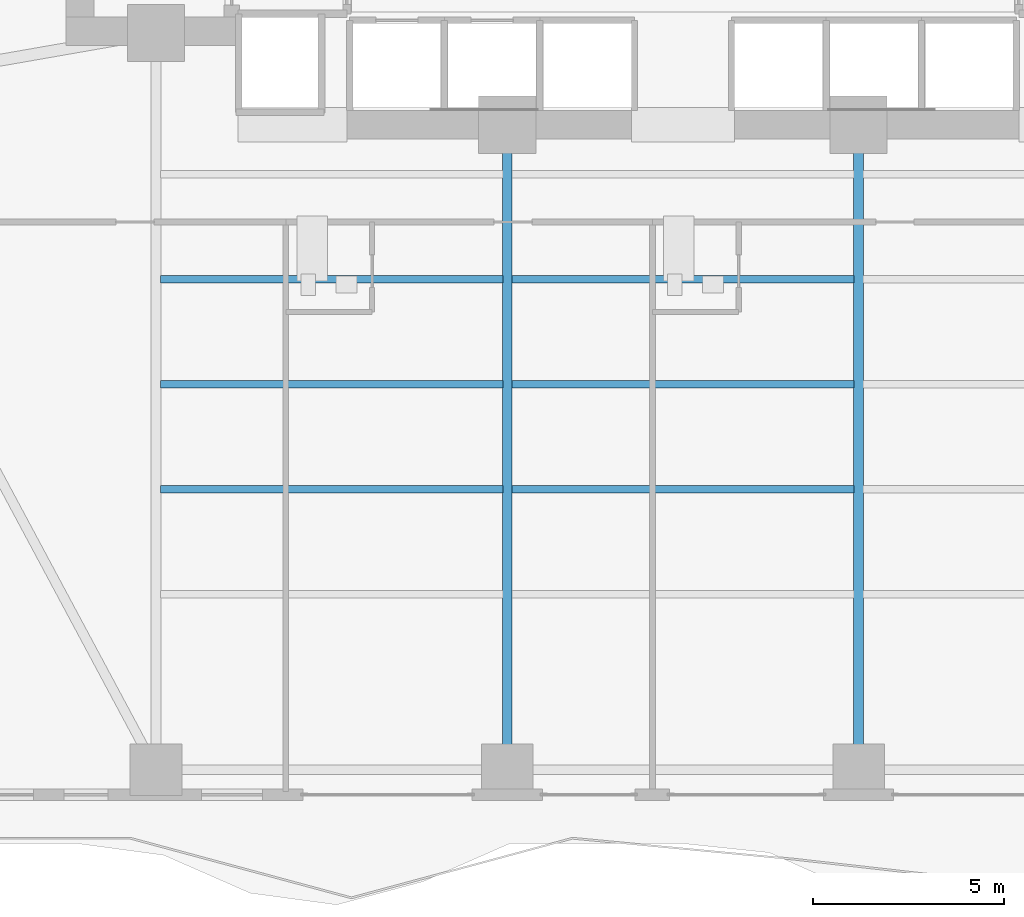
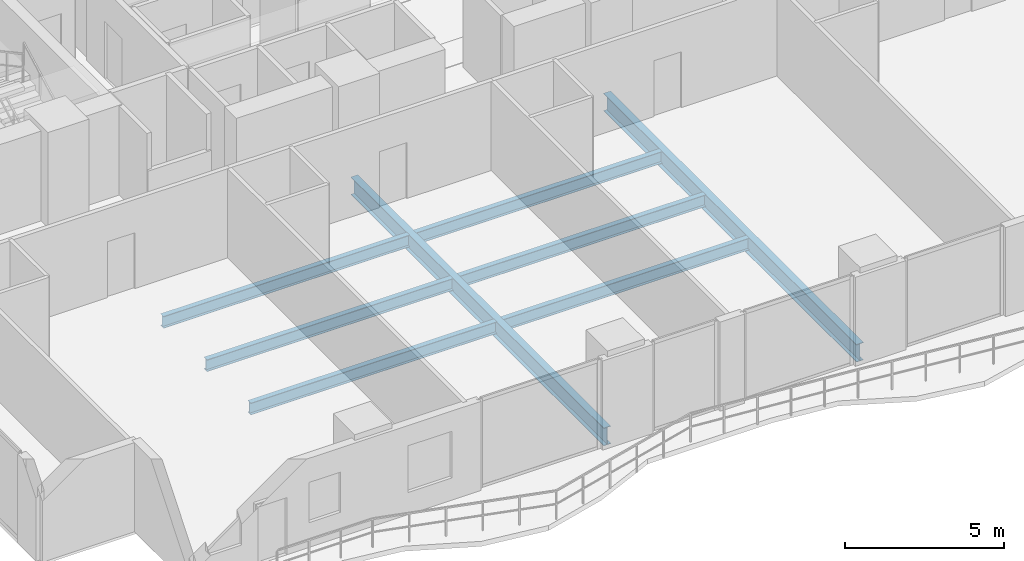
# One storey, part 6 of 28: 8 beams.
"""IFC4 building model written with IfcOpenShell, lengths in metres."""

from ifc_helpers import new_model, si_unit, direction, frame, origin, origin_2d, place, context, subcontext, project, spatial, i_section, extrude, material, material_profile, profile_set, type_object, element, save


model = new_model("IFC4")

# Units and contexts
model_context = context("Model", 3, precision=1e-05, world=origin(), true_north=direction((0.0, 1.0)))
body_context = subcontext(model_context, "Body", "Model", "MODEL_VIEW")
ifc_project = project(units=[si_unit("LENGTHUNIT", "METRE"), si_unit("AREAUNIT", "SQUARE_METRE"), si_unit("VOLUMEUNIT", "CUBIC_METRE"), si_unit("PLANEANGLEUNIT", "RADIAN"), si_unit("MASSUNIT", "GRAM", prefix="KILO")], contexts=[model_context])

# Site, building, storey
site_placement = place(None, origin())
site = spatial("IfcSite", under=ifc_project, at=site_placement, CompositionType="ELEMENT")
building_placement = place(site_placement, origin())
building = spatial("IfcBuilding", under=site, at=building_placement, Name="Zuhayl Quay Hotel", CompositionType="ELEMENT")
storey_placement = place(building_placement, frame((0.0, 0.0, 146.75)))
storey = spatial("IfcBuildingStorey", under=building, at=storey_placement, Name="L37", CompositionType="ELEMENT", Elevation=146.75)

# Beams
ifc_material = material(Name="Steel ASTM A992 Grade 50", Category="steel")
ifc_material_profile_1 = material_profile(ifc_material, i_section(OverallWidth=0.25390625, OverallDepth=0.68310546875, WebThickness=0.012451171875, FlangeThickness=0.018798828125, at=origin_2d()), Name="W27X94")
ifc_profile_set_1 = profile_set([ifc_material_profile_1], Name="Steel ASTM A992 Grade 50")
beam_type_1 = type_object("IfcBeamType", Name="BM_B2_W27X94", PredefinedType="BEAM", material=ifc_profile_set_1)
for number, where, z_axis, x_axis, name in (
    (1, (-4.60009765625, -14.25, -0.5615234375), (0.0, 1.0, 0.0), (-1.0, 0.0, 0.0), "L37 Floor Beam FG_S_L37_2"),
    (2, (4.60009765625, -14.25, -0.5615234375), (0.0, 1.0, 0.0), (-1.0, 0.0, 0.0), "L37 Floor Beam FG_S_L37_3"),
):
    element("IfcBeam", number, at=place(storey_placement, frame(where, z_axis=z_axis, x_axis=x_axis)), inside=storey, type_object=beam_type_1, Name=name, PredefinedType="BEAM", context=body_context, shape_type="SweptSolid", body=[
        extrude(i_section(OverallWidth=0.25390625, OverallDepth=0.68310546875, WebThickness=0.012451171875, FlangeThickness=0.018798828125, at=origin_2d()), origin(), (0.0, 0.0, 1.0), 15.949951171875),
    ])
ifc_material_profile_2 = material_profile(ifc_material, i_section(OverallWidth=0.18994140625, OverallDepth=0.45703125, WebThickness=0.009033203125, FlangeThickness=0.014404296875, at=origin_2d()), Name="W18X50")
ifc_profile_set_2 = profile_set([ifc_material_profile_2], Name="Steel ASTM A992 Grade 50")
beam_type_2 = type_object("IfcBeamType", Name="BM_J2_W18X50", PredefinedType="JOIST", material=ifc_profile_set_2)
for number, where, z_axis, x_axis, name in (
    (3, (-13.680908203125, -7.39990234375, -0.448486328125), (1.0, 0.0, 0.0), (0.0, 1.0, 0.0), "L37 Floor Beam FJ_L37_6_1"),
    (4, (-4.48095703125, -7.39990234375, -0.448486328125), (1.0, 0.0, 0.0), (0.0, 1.0, 0.0), "L37 Floor Beam FJ_L37_6_2"),
    (5, (-13.680908203125, -4.64990234375, -0.448486328125), (1.0, 0.0, 0.0), (0.0, 1.0, 0.0), "L37 Floor Beam FJ_L37_7_1"),
    (6, (-4.48095703125, -4.64990234375, -0.448486328125), (1.0, 0.0, 0.0), (0.0, 1.0, 0.0), "L37 Floor Beam FJ_L37_7_2"),
    (7, (-13.680908203125, -1.89990234375, -0.448486328125), (1.0, 0.0, 0.0), (0.0, 1.0, 0.0), "L37 Floor Beam FJ_L37_8_1"),
    (8, (-4.48095703125, -1.89990234375, -0.448486328125), (1.0, 0.0, 0.0), (0.0, 1.0, 0.0), "L37 Floor Beam FJ_L37_8_2"),
):
    element("IfcBeam", number, at=place(storey_placement, frame(where, z_axis=z_axis, x_axis=x_axis)), inside=storey, type_object=beam_type_2, Name=name, PredefinedType="JOIST", context=body_context, shape_type="SweptSolid", body=[
        extrude(i_section(OverallWidth=0.18994140625, OverallDepth=0.45703125, WebThickness=0.009033203125, FlangeThickness=0.014404296875, at=origin_2d()), origin(), (0.0, 0.0, 1.0), 8.9619140625),
    ])

save(model, "model.ifc")
